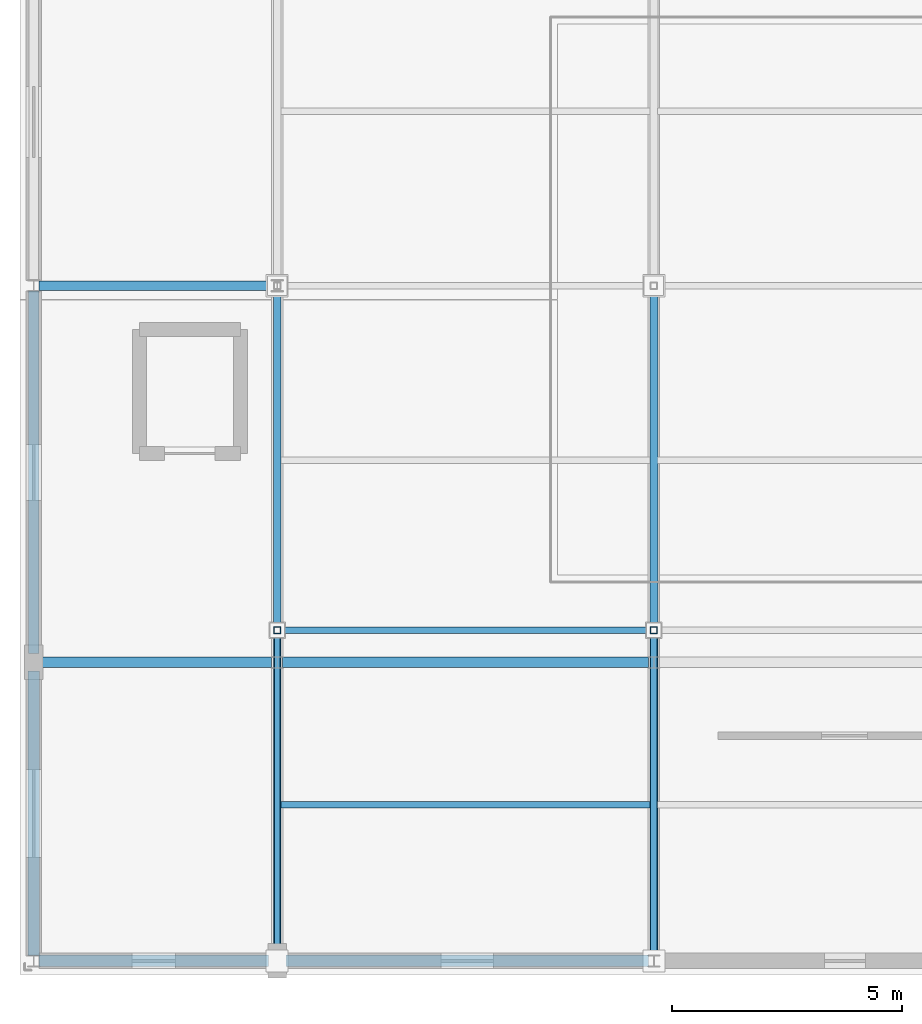
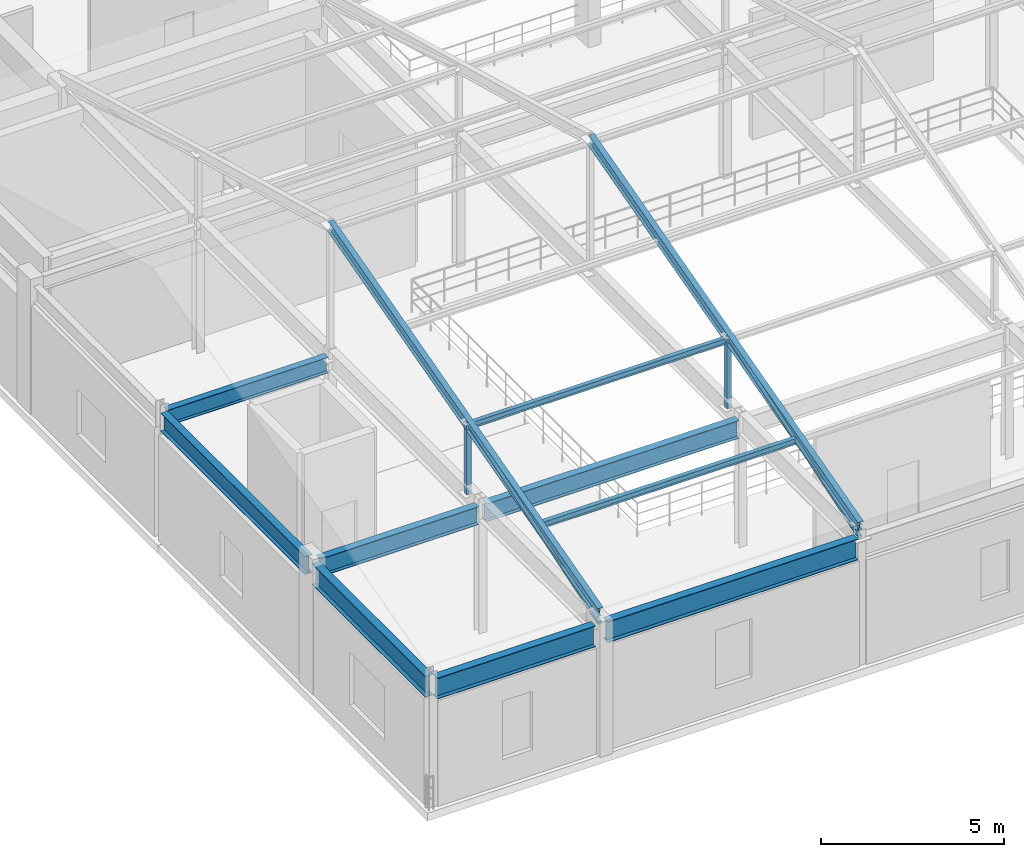
# One storey, part 23 of 112: 8 members, 7 beams.
"""IFC4 building model written with IfcOpenShell, lengths in metres."""

from ifc_helpers import new_model, si_unit, direction, frame, origin, origin_2d, place, context, subcontext, project, spatial, hollow_rectangle, hollow_circle, i_section, extrude, material, material_profile, profile_set, type_object, element, save


model = new_model("IFC4")

# Units and contexts
model_context = context("Model", 3, precision=1e-05, world=origin(), true_north=direction((0.0, 1.0)))
body_context = subcontext(model_context, "Body", "Model", "MODEL_VIEW")
ifc_project = project(units=[si_unit("LENGTHUNIT", "METRE"), si_unit("AREAUNIT", "SQUARE_METRE"), si_unit("VOLUMEUNIT", "CUBIC_METRE"), si_unit("PLANEANGLEUNIT", "RADIAN"), si_unit("MASSUNIT", "GRAM", prefix="KILO")], contexts=[model_context])

# Site, building, storey
site_placement = place(None, origin())
site = spatial("IfcSite", under=ifc_project, at=site_placement, CompositionType="ELEMENT")
building_placement = place(site_placement, origin())
building = spatial("IfcBuilding", under=site, at=building_placement, Name="Cinderbank Siding Concert Hall", CompositionType="ELEMENT")
storey_placement = place(building_placement, frame((0.0, 0.0, 10.199951171875)))
storey = spatial("IfcBuildingStorey", under=building, at=storey_placement, Name="L03", CompositionType="ELEMENT", Elevation=10.199951171875)

# Beams
ifc_material_1 = material(Name="Structural steel AS/NZS 3679.1 Grade 350 (340 MPa)", Category="steel")
ifc_material_profile_1 = material_profile(ifc_material_1, i_section(OverallWidth=0.208984375, OverallDepth=0.5283203125, WebThickness=0.009521484375, FlangeThickness=0.01318359375, at=origin_2d()), Name="530UB82.0", Category="LoadBearing")
ifc_profile_set_1 = profile_set([ifc_material_profile_1], Name="Structural steel AS/NZS 3679.1 Grade 350 (340 MPa)")
beam_type_1 = type_object("IfcBeamType", Name="BM-UB530 530UB82.0", PredefinedType="BEAM", material=ifc_profile_set_1)
beam_1_placement = place(storey_placement, frame((7.218994140625, 20.800048828125, 3.97802734375), z_axis=(1.0, 0.0, 0.0), x_axis=(0.0, 1.0, 0.0)))
element("IfcBeam", 1, at=beam_1_placement, inside=storey, type_object=beam_type_1, Name="L03 Beam BM-UB530 #1707", PredefinedType="BEAM", context=body_context, shape_type="SweptSolid", body=[
    extrude(i_section(OverallWidth=0.208984375, OverallDepth=0.5283203125, WebThickness=0.009521484375, FlangeThickness=0.01318359375, at=origin_2d()), origin(), (0.0, 0.0, 1.0), 5.06201171875),
])
ifc_material_profile_2 = material_profile(ifc_material_1, i_section(OverallWidth=0.22802734375, OverallDepth=0.602294921875, WebThickness=0.010498046875, FlangeThickness=0.014892578125, at=origin_2d()), Name="610UB101", Category="LoadBearing")
ifc_profile_set_2 = profile_set([ifc_material_profile_2], Name="Structural steel AS/NZS 3679.1 Grade 350 (340 MPa)")
beam_type_2 = type_object("IfcBeamType", Name="BM-UB610 610UB101", PredefinedType="BEAM", material=ifc_profile_set_2)
beam_2_placement = place(storey_placement, frame((7.2919921875, 12.60009765625, 3.94091796875), z_axis=(1.0, 0.0, 0.0), x_axis=(0.0, 1.0, 0.0)))
element("IfcBeam", 2, at=beam_2_placement, inside=storey, type_object=beam_type_2, Name="L03 Beam BM-UB610 #1705", PredefinedType="BEAM", context=body_context, shape_type="SweptSolid", body=[
    extrude(i_section(OverallWidth=0.22802734375, OverallDepth=0.602294921875, WebThickness=0.010498046875, FlangeThickness=0.014892578125, at=origin_2d()), origin(), (0.0, 0.0, 1.0), 4.989013671875),
])
beam_3_placement = place(storey_placement, frame((7.10009765625, 12.7919921875, 3.94091796875), z_axis=(0.0, 1.0, 0.0), x_axis=(-1.0, 0.0, 0.0)))
element("IfcBeam", 3, at=beam_3_placement, inside=storey, type_object=beam_type_2, Name="L03 Beam BM-UB610 #1706", PredefinedType="BEAM", context=body_context, shape_type="SweptSolid", body=[
    extrude(i_section(OverallWidth=0.22802734375, OverallDepth=0.602294921875, WebThickness=0.010498046875, FlangeThickness=0.014892578125, at=origin_2d()), origin(), (0.0, 0.0, 1.0), 7.888916015625),
])
beam_4_placement = place(storey_placement, frame((12.51904296875, 12.60009765625, 3.94091796875), z_axis=(1.0, 0.0, 0.0), x_axis=(0.0, 1.0, 0.0)))
element("IfcBeam", 4, at=beam_4_placement, inside=storey, type_object=beam_type_2, Name="L03 Beam BM-UB610 #1714", PredefinedType="BEAM", context=body_context, shape_type="SweptSolid", body=[
    extrude(i_section(OverallWidth=0.22802734375, OverallDepth=0.602294921875, WebThickness=0.010498046875, FlangeThickness=0.014892578125, at=origin_2d()), origin(), (0.0, 0.0, 1.0), 7.9619140625),
])
ifc_material_2 = material(Name="Structural steel welded plate section AS/NZS 3679.2 / AS/NZS 3678 Grade 350 (340 MPa)", Category="steel")
ifc_material_profile_3 = material_profile(ifc_material_2, i_section(OverallWidth=0.25, OverallDepth=0.699951171875, WebThickness=0.010009765625, FlangeThickness=0.01611328125, at=origin_2d()), Name="700WB130", Category="LoadBearing")
ifc_profile_set_3 = profile_set([ifc_material_profile_3], Name="Structural steel welded plate section AS/NZS 3679.2 / AS/NZS 3678 Grade 350 (340 MPa)")
beam_type_3 = type_object("IfcBeamType", Name="BM-WB700 700WB130", PredefinedType="BEAM", material=ifc_profile_set_3)
beam_5_placement = place(storey_placement, frame((7.218994140625, 6.10009765625, 3.89208984375), z_axis=(1.0, 0.0, 0.0), x_axis=(0.0, 1.0, 0.0)))
element("IfcBeam", 5, at=beam_5_placement, inside=storey, type_object=beam_type_3, Name="L03 Beam BM-WB700 #1703", PredefinedType="BEAM", context=body_context, shape_type="SweptSolid", body=[
    extrude(i_section(OverallWidth=0.25, OverallDepth=0.699951171875, WebThickness=0.010009765625, FlangeThickness=0.01611328125, at=origin_2d()), origin(), (0.0, 0.0, 1.0), 4.989013671875),
])
beam_6_placement = place(storey_placement, frame((7.10009765625, 6.218994140625, 3.89208984375), z_axis=(0.0, 1.0, 0.0), x_axis=(-1.0, 0.0, 0.0)))
element("IfcBeam", 6, at=beam_6_placement, inside=storey, type_object=beam_type_3, Name="L03 Beam BM-WB700 #1704", PredefinedType="BEAM", context=body_context, shape_type="SweptSolid", body=[
    extrude(i_section(OverallWidth=0.25, OverallDepth=0.699951171875, WebThickness=0.010009765625, FlangeThickness=0.01611328125, at=origin_2d()), origin(), (0.0, 0.0, 1.0), 6.18896484375),
])
beam_7_placement = place(storey_placement, frame((12.592041015625, 6.10009765625, 3.89208984375), z_axis=(1.0, 0.0, 0.0), x_axis=(0.0, 1.0, 0.0)))
element("IfcBeam", 7, at=beam_7_placement, inside=storey, type_object=beam_type_3, Name="L03 Beam BM-WB700 #1713", PredefinedType="BEAM", context=body_context, shape_type="SweptSolid", body=[
    extrude(i_section(OverallWidth=0.25, OverallDepth=0.699951171875, WebThickness=0.010009765625, FlangeThickness=0.01611328125, at=origin_2d()), origin(), (0.0, 0.0, 1.0), 7.888916015625),
])

# Members
ifc_material_3 = material(Name="Structural steel hollow section AS/NZS 1163 Grade C350L0 (350 MPa)", Category="steel")
ifc_material_profile_4 = material_profile(ifc_material_3, hollow_circle(Radius=0.06982421875, WallThickness=0.00634765625, at=origin_2d()), Name="139.7x6.4CHS", Category="LoadBearing")
ifc_profile_set_4 = profile_set([ifc_material_profile_4], Name="Structural steel hollow section AS/NZS 1163 Grade C350L0 (350 MPa)")
member_type_1 = type_object("IfcMemberType", Name="BR-CHS139 139.7x6.4CHS Roof Truss", PredefinedType="BRACE", material=ifc_profile_set_4)
for number, where, z_axis, x_axis, name in (
    (8, (12.39990234375, 6.10009765625, 4.199951171875), (0.0, 0.950640778961, 0.310293585781), (-1.0, 0.0, 0.0), "L03 Diagonal Brace BR-CHS139 #V2DG-BR-CHS139-L03-2380"),
    (9, (20.60009765625, 6.10009765625, 4.199951171875), (0.0, 0.950640778961, 0.310293585781), (-1.0, 0.0, 0.0), "L03 Diagonal Brace BR-CHS139 #V2DG-BR-CHS139-L03-2387"),
):
    element("IfcMember", number, at=place(storey_placement, frame(where, z_axis=z_axis, x_axis=x_axis)), inside=storey, type_object=member_type_1, Name=name, PredefinedType="BRACE", context=body_context, shape_type="SweptSolid", body=[
        extrude(hollow_circle(Radius=0.06982421875, WallThickness=0.00634765625, at=origin_2d()), origin(), (0.0, 0.0, 1.0), 7.57373046875),
    ])
ifc_material_profile_5 = material_profile(ifc_material_3, hollow_rectangle(XDim=0.14990234375, YDim=0.14990234375, WallThickness=0.008056640625, at=origin_2d()), Name="150x150x8.0SHS", Category="LoadBearing")
ifc_profile_set_5 = profile_set([ifc_material_profile_5], Name="Structural steel hollow section AS/NZS 1163 Grade C350L0 (350 MPa)")
member_type_2 = type_object("IfcMemberType", Name="BR-SHS150 150x150x8.0SHS Roof Truss", PredefinedType="BRACE", material=ifc_profile_set_5)
for number, where, z_axis, x_axis, name in (
    (10, (12.39990234375, 13.300048828125, 4.150146484375), (0.0, 0.0, 1.0), (1.0, 0.0, 0.0), "L03 Diagonal Brace BR-SHS150 #V2WB-BR-SHS150-L03-2377"),
    (11, (20.60009765625, 13.300048828125, 4.150146484375), (0.0, 0.0, 1.0), (1.0, 0.0, 0.0), "L03 Diagonal Brace BR-SHS150 #V2WB-BR-SHS150-L03-2384"),
):
    element("IfcMember", number, at=place(storey_placement, frame(where, z_axis=z_axis, x_axis=x_axis)), inside=storey, type_object=member_type_2, Name=name, PredefinedType="BRACE", context=body_context, shape_type="SweptSolid", body=[
        extrude(hollow_rectangle(XDim=0.14990234375, YDim=0.14990234375, WallThickness=0.008056640625, at=origin_2d()), origin(), (0.0, 0.0, 1.0), 2.39990234375),
    ])
ifc_material_profile_6 = material_profile(ifc_material_1, i_section(OverallWidth=0.133056640625, OverallDepth=0.203125, WebThickness=0.005859375, FlangeThickness=0.0078125, at=origin_2d()), Name="200UB25.4", Category="LoadBearing")
ifc_profile_set_6 = profile_set([ifc_material_profile_6], Name="Structural steel AS/NZS 3679.1 Grade 350 (340 MPa)")
member_type_3 = type_object("IfcMemberType", Name="PR-UB200 200UB25.4 Roof Truss", PredefinedType="PURLIN", material=ifc_profile_set_6)
for number, where, z_axis, x_axis, name in (
    (12, (12.47998046875, 9.5, 5.375244140625), (1.0, 0.0, 0.0), (0.0, 1.0, 0.0), "L03 Roof Truss Member PR-UB200 #2410"),
    (13, (12.47998046875, 13.300048828125, 6.4091796875), (1.0, 0.0, 0.0), (0.0, 1.0, 0.0), "L03 Roof Truss Member PR-UB200 #2411"),
):
    element("IfcMember", number, at=place(storey_placement, frame(where, z_axis=z_axis, x_axis=x_axis)), inside=storey, type_object=member_type_3, Name=name, PredefinedType="PURLIN", context=body_context, shape_type="SweptSolid", body=[
        extrude(i_section(OverallWidth=0.133056640625, OverallDepth=0.203125, WebThickness=0.005859375, FlangeThickness=0.0078125, at=origin_2d()), origin(), (0.0, 0.0, 1.0), 8.0400390625),
    ])
ifc_material_profile_7 = material_profile(ifc_material_1, i_section(OverallWidth=0.172119140625, OverallDepth=0.358642578125, WebThickness=0.008056640625, FlangeThickness=0.012939453125, at=origin_2d()), Name="360UB56.7", Category="LoadBearing")
ifc_profile_set_7 = profile_set([ifc_material_profile_7], Name="Structural steel AS/NZS 3679.1 Grade 350 (340 MPa)")
member_type_4 = type_object("IfcMemberType", Name="TR-UB360 360UB56.7 Roof Truss", PredefinedType="RAFTER", material=ifc_profile_set_7)
for number, where, z_axis, x_axis, name in (
    (14, (12.39990234375, 6.10009765625, 4.550048828125), (0.0, 0.964914918446, 0.26256275471), (-1.0, 0.0, 0.0), "L03 Roof Truss Member TR-UB360 #2375"),
    (15, (20.60009765625, 6.10009765625, 4.550048828125), (0.0, 0.964914918446, 0.26256275471), (-1.0, 0.0, 0.0), "L03 Roof Truss Member TR-UB360 #2382"),
):
    element("IfcMember", number, at=place(storey_placement, frame(where, z_axis=z_axis, x_axis=x_axis)), inside=storey, type_object=member_type_4, Name=name, PredefinedType="RAFTER", context=body_context, shape_type="SweptSolid", body=[
        extrude(i_section(OverallWidth=0.172119140625, OverallDepth=0.358642578125, WebThickness=0.008056640625, FlangeThickness=0.012939453125, at=origin_2d()), origin(), (0.0, 0.0, 1.0), 15.234375),
    ])

save(model, "model.ifc")
